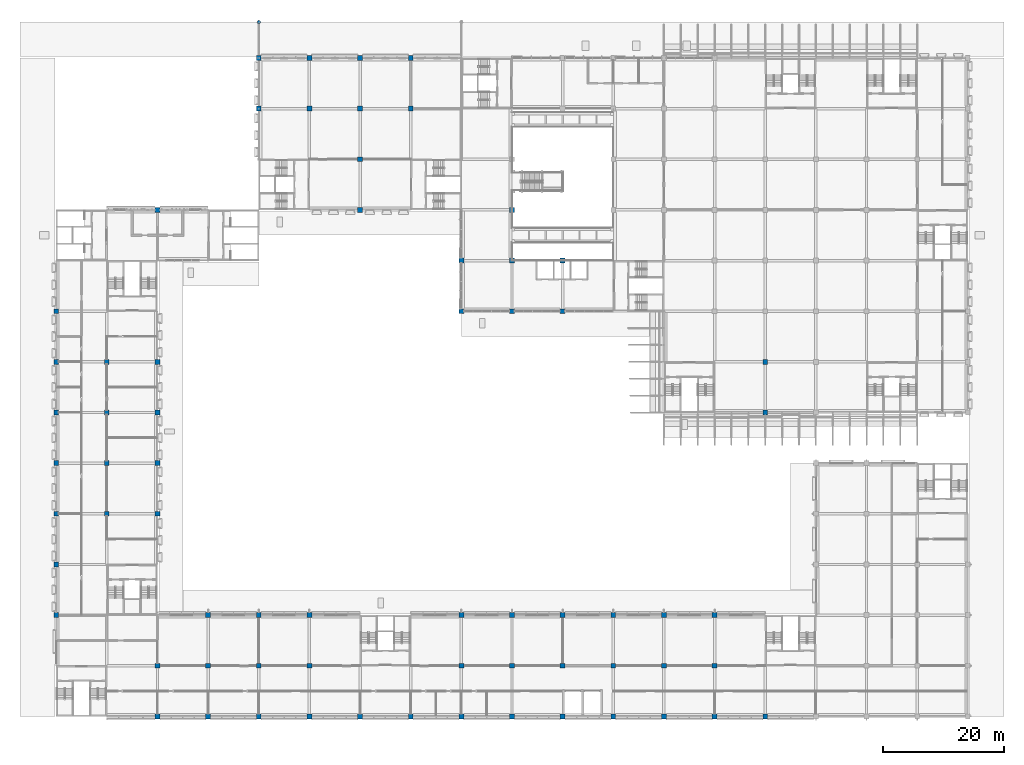
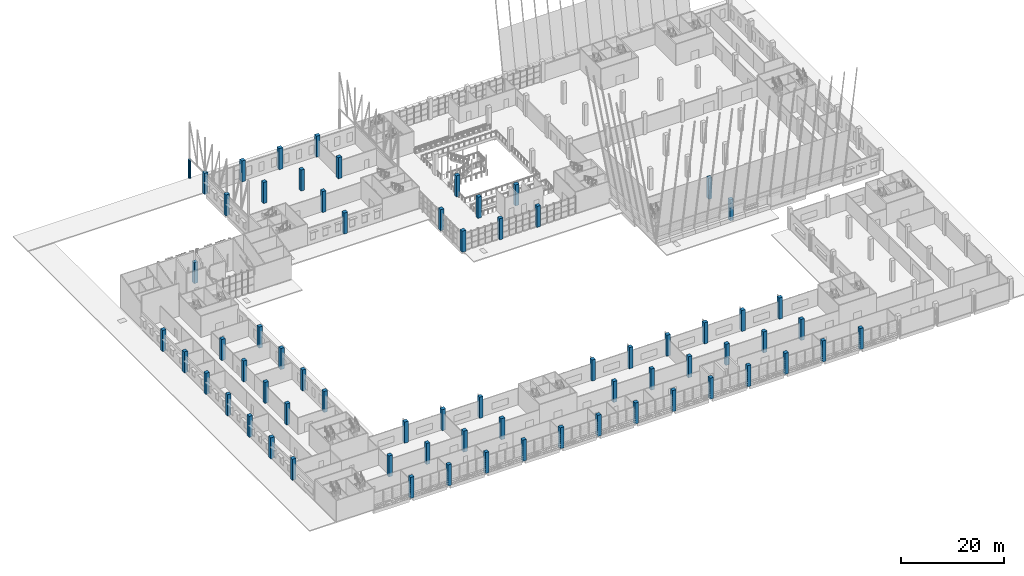
# One storey, part 1 of 101: 68 columns.
"""IFC4 building model written with IfcOpenShell, lengths in metres."""

from ifc_helpers import new_model, si_unit, direction, frame, origin, origin_2d, place, context, subcontext, project, spatial, rectangle, circle, extrude, material, material_profile, profile_set, type_object, element, save


model = new_model("IFC4")

# Units and contexts
model_context = context("Model", 3, precision=1e-05, world=origin(), true_north=direction((0.0, 1.0)))
body_context = subcontext(model_context, "Body", "Model", "MODEL_VIEW")
ifc_project = project(units=[si_unit("LENGTHUNIT", "METRE"), si_unit("AREAUNIT", "SQUARE_METRE"), si_unit("VOLUMEUNIT", "CUBIC_METRE"), si_unit("PLANEANGLEUNIT", "RADIAN"), si_unit("MASSUNIT", "GRAM", prefix="KILO")], contexts=[model_context])

# Site, building, storey
site_placement = place(None, origin())
site = spatial("IfcSite", under=ifc_project, at=site_placement, CompositionType="ELEMENT")
building_placement = place(site_placement, origin())
building = spatial("IfcBuilding", under=site, at=building_placement, Name="Almond Square Museum", CompositionType="ELEMENT")
storey_placement = place(building_placement, frame((0.0, 0.0, 5.5)))
storey = spatial("IfcBuildingStorey", under=building, at=storey_placement, Name="L01", CompositionType="ELEMENT", Elevation=5.5)

# Columns
ifc_material_1 = material(Name="Concrete C40/50", Category="concrete")
ifc_material_profile_1 = material_profile(ifc_material_1, rectangle(XDim=0.800048828125, YDim=0.800048828125, at=origin_2d()))
ifc_profile_set_1 = profile_set([ifc_material_profile_1], Name="Concrete C40/50")
column_type_1 = type_object("IfcColumnType", Name="RC column 800 x 800 C40/50", PredefinedType="COLUMN", material=ifc_profile_set_1)
for number, where, z_axis, x_axis, name in (
    (1, (6.0, 16.800048828125, 0.0), (0.0, 0.0, 1.0), (1.0, 0.0, 0.0), "Column 2-C L01"),
    (2, (6.0, 25.199951171875, 0.0), (0.0, 0.0, 1.0), (1.0, 0.0, 0.0), "Column 2-D L01"),
    (3, (6.0, 33.60009765625, 0.0), (0.0, 0.0, 1.0), (1.0, 0.0, 0.0), "Column 2-E L01"),
    (4, (6.0, 42.0, 0.0), (0.0, 0.0, 1.0), (1.0, 0.0, 0.0), "Column 2-F L01"),
    (5, (6.0, 50.39990234375, 0.0), (0.0, 0.0, 1.0), (1.0, 0.0, 0.0), "Column 2-G L01"),
    (6, (6.0, 58.800048828125, 0.0), (0.0, 0.0, 1.0), (1.0, 0.0, 0.0), "Column 2-H L01"),
    (7, (6.0, 67.199951171875, 0.0), (0.0, 0.0, 1.0), (1.0, 0.0, 0.0), "Column 2-I L01"),
    (8, (14.39990234375, 33.60009765625, 0.0), (0.0, 0.0, 1.0), (1.0, 0.0, 0.0), "Column 3-E L01"),
    (9, (14.39990234375, 42.0, 0.0), (0.0, 0.0, 1.0), (1.0, 0.0, 0.0), "Column 3-F L01"),
    (10, (14.39990234375, 50.39990234375, 0.0), (0.0, 0.0, 1.0), (1.0, 0.0, 0.0), "Column 3-G L01"),
    (11, (14.39990234375, 58.800048828125, 0.0), (0.0, 0.0, 1.0), (1.0, 0.0, 0.0), "Column 3-H L01"),
    (12, (22.800048828125, 0.0, 0.0), (0.0, 0.0, 1.0), (1.0, 0.0, 0.0), "Column 4-A L01"),
    (13, (22.800048828125, 8.39990234375, 0.0), (0.0, 0.0, 1.0), (1.0, 0.0, 0.0), "Column 4-B L01"),
    (14, (22.800048828125, 33.60009765625, 0.0), (0.0, 0.0, 1.0), (1.0, 0.0, 0.0), "Column 4-E L01"),
    (15, (22.800048828125, 42.0, 0.0), (0.0, 0.0, 1.0), (1.0, 0.0, 0.0), "Column 4-F L01"),
    (16, (22.800048828125, 50.39990234375, 0.0), (0.0, 0.0, 1.0), (1.0, 0.0, 0.0), "Column 4-G L01"),
    (17, (22.800048828125, 58.800048828125, 0.0), (0.0, 0.0, 1.0), (1.0, 0.0, 0.0), "Column 4-H L01"),
    (18, (22.800048828125, 84.0, 0.0), (0.0, 0.0, 1.0), (1.0, 0.0, 0.0), "Column 4-K L01"),
    (19, (31.199951171875, 0.0, 0.0), (0.0, 0.0, 1.0), (1.0, 0.0, 0.0), "Column 5-A L01"),
    (20, (31.199951171875, 8.39990234375, 0.0), (0.0, 0.0, 1.0), (1.0, 0.0, 0.0), "Column 5-B L01"),
    (21, (31.199951171875, 16.800048828125, 0.0), (0.0, 0.0, 1.0), (1.0, 0.0, 0.0), "Column 5-C L01"),
    (22, (39.60009765625, 0.0, 0.0), (0.0, 0.0, 1.0), (1.0, 0.0, 0.0), "Column 6-A L01"),
    (23, (39.60009765625, 8.39990234375, 0.0), (0.0, 0.0, 1.0), (1.0, 0.0, 0.0), "Column 6-B L01"),
    (24, (39.60009765625, 16.800048828125, 0.0), (0.0, 0.0, 1.0), (1.0, 0.0, 0.0), "Column 6-C L01"),
    (25, (39.60009765625, 100.800048828125, 0.0), (0.0, 0.0, 1.0), (1.0, 0.0, 0.0), "Column 6-M L01"),
    (26, (39.60009765625, 109.199951171875, 0.0), (0.0, 0.0, 1.0), (1.0, 0.0, 0.0), "Column 6-N L01"),
    (27, (48.0, 0.0, 0.0), (0.0, 0.0, 1.0), (1.0, 0.0, 0.0), "Column 7-A L01"),
    (28, (48.0, 8.39990234375, 0.0), (0.0, 0.0, 1.0), (1.0, 0.0, 0.0), "Column 7-B L01"),
    (29, (48.0, 16.800048828125, 0.0), (0.0, 0.0, 1.0), (1.0, 0.0, 0.0), "Column 7-C L01"),
    (30, (48.0, 100.800048828125, 0.0), (0.0, 0.0, 1.0), (1.0, 0.0, 0.0), "Column 7-M L01"),
    (31, (48.0, 109.199951171875, 0.0), (0.0, 0.0, 1.0), (1.0, 0.0, 0.0), "Column 7-N L01"),
    (32, (56.39990234375, 0.0, 0.0), (0.0, 0.0, 1.0), (1.0, 0.0, 0.0), "Column 8-A L01"),
    (33, (56.39990234375, 84.0, 0.0), (0.0, 0.0, 1.0), (1.0, 0.0, 0.0), "Column 8-K L01"),
    (34, (56.39990234375, 92.39990234375, 0.0), (0.0, 0.0, 1.0), (1.0, 0.0, 0.0), "Column 8-L L01"),
    (35, (56.39990234375, 100.800048828125, 0.0), (0.0, 0.0, 1.0), (1.0, 0.0, 0.0), "Column 8-M L01"),
    (36, (56.39990234375, 109.199951171875, 0.0), (0.0, 0.0, 1.0), (1.0, 0.0, 0.0), "Column 8-N L01"),
    (37, (64.800048828125, 0.0, 0.0), (0.0, 0.0, 1.0), (1.0, 0.0, 0.0), "Column 9-A L01"),
    (38, (64.800048828125, 100.800048828125, 0.0), (0.0, 0.0, 1.0), (1.0, 0.0, 0.0), "Column 9-M L01"),
    (39, (64.800048828125, 109.199951171875, 0.0), (0.0, 0.0, 1.0), (1.0, 0.0, 0.0), "Column 9-N L01"),
    (40, (73.199951171875, 0.0, 0.0), (0.0, 0.0, 1.0), (1.0, 0.0, 0.0), "Column 10-A L01"),
    (41, (73.199951171875, 8.39990234375, 0.0), (0.0, 0.0, 1.0), (1.0, 0.0, 0.0), "Column 10-B L01"),
    (42, (73.199951171875, 16.800048828125, 0.0), (0.0, 0.0, 1.0), (1.0, 0.0, 0.0), "Column 10-C L01"),
    (43, (73.199951171875, 67.199951171875, 0.0), (0.0, 0.0, 1.0), (1.0, 0.0, 0.0), "Column 10-I L01"),
    (44, (73.199951171875, 75.60009765625, 0.0), (0.0, 0.0, 1.0), (1.0, 0.0, 0.0), "Column 10-J L01"),
    (45, (81.60009765625, 0.0, 0.0), (0.0, 0.0, 1.0), (1.0, 0.0, 0.0), "Column 11-A L01"),
    (46, (81.60009765625, 8.39990234375, 0.0), (0.0, 0.0, 1.0), (1.0, 0.0, 0.0), "Column 11-B L01"),
    (47, (81.60009765625, 16.800048828125, 0.0), (0.0, 0.0, 1.0), (1.0, 0.0, 0.0), "Column 11-C L01"),
    (48, (81.60009765625, 67.199951171875, 0.0), (0.0, 0.0, 1.0), (1.0, 0.0, 0.0), "Column 11-I L01"),
    (49, (81.60009765625, 75.60009765625, 0.0), (0.0, 0.0, 1.0), (1.0, 0.0, 0.0), "Column 11-J L01"),
    (50, (81.60009765625, 84.0, 0.0), (0.0, 0.0, 1.0), (1.0, 0.0, 0.0), "Column 11-K L01"),
    (51, (90.0, 0.0, 0.0), (0.0, 0.0, 1.0), (1.0, 0.0, 0.0), "Column 12-A L01"),
    (52, (90.0, 8.39990234375, 0.0), (0.0, 0.0, 1.0), (1.0, 0.0, 0.0), "Column 12-B L01"),
    (53, (90.0, 16.800048828125, 0.0), (0.0, 0.0, 1.0), (1.0, 0.0, 0.0), "Column 12-C L01"),
    (54, (90.0, 67.199951171875, 0.0), (0.0, 0.0, 1.0), (1.0, 0.0, 0.0), "Column 12-I L01"),
    (55, (90.0, 75.60009765625, 0.0), (0.0, 0.0, 1.0), (1.0, 0.0, 0.0), "Column 12-J L01"),
    (56, (98.39990234375, 0.0, 0.0), (0.0, 0.0, 1.0), (1.0, 0.0, 0.0), "Column 13-A L01"),
    (57, (98.39990234375, 8.39990234375, 0.0), (0.0, 0.0, 1.0), (1.0, 0.0, 0.0), "Column 13-B L01"),
    (58, (98.39990234375, 16.800048828125, 0.0), (0.0, 0.0, 1.0), (1.0, 0.0, 0.0), "Column 13-C L01"),
    (59, (106.800048828125, 0.0, 0.0), (0.0, 0.0, 1.0), (1.0, 0.0, 0.0), "Column 14-A L01"),
    (60, (106.800048828125, 8.39990234375, 0.0), (0.0, 0.0, 1.0), (1.0, 0.0, 0.0), "Column 14-B L01"),
    (61, (106.800048828125, 16.800048828125, 0.0), (0.0, 0.0, 1.0), (1.0, 0.0, 0.0), "Column 14-C L01"),
    (62, (115.199951171875, 0.0, 0.0), (0.0, 0.0, 1.0), (1.0, 0.0, 0.0), "Column 15-A L01"),
    (63, (115.199951171875, 8.39990234375, 0.0), (0.0, 0.0, 1.0), (1.0, 0.0, 0.0), "Column 15-B L01"),
    (64, (115.199951171875, 16.800048828125, 0.0), (0.0, 0.0, 1.0), (1.0, 0.0, 0.0), "Column 15-C L01"),
    (65, (123.60009765625, 0.0, 0.0), (0.0, 0.0, 1.0), (1.0, 0.0, 0.0), "Column 16-A L01"),
    (66, (123.60009765625, 50.39990234375, 0.0), (0.0, 0.0, 1.0), (1.0, 0.0, 0.0), "Column 16-G L01"),
    (67, (123.60009765625, 58.800048828125, 0.0), (0.0, 0.0, 1.0), (1.0, 0.0, 0.0), "Column 16-H L01"),
):
    element("IfcColumn", number, at=place(storey_placement, frame(where, z_axis=z_axis, x_axis=x_axis)), inside=storey, type_object=column_type_1, Name=name, PredefinedType="COLUMN", context=body_context, shape_type="SweptSolid", body=[
        extrude(rectangle(XDim=0.800048828125, YDim=0.800048828125, at=origin_2d()), origin(), (0.0, 0.0, 1.0), 5.0),
    ])
ifc_material_2 = material(Name="Concrete C40/50", Category="concrete")
ifc_material_profile_2 = material_profile(ifc_material_2, circle(Radius=0.300048828125, at=origin_2d()))
ifc_profile_set_2 = profile_set([ifc_material_profile_2], Name="Concrete C40/50")
column_type_2 = type_object("IfcColumnType", Name="RC round column D600 C40/50", PredefinedType="COLUMN", material=ifc_profile_set_2)
column_placement = place(storey_placement, frame((39.60009765625, 115.199951171875, 0.0), z_axis=(0.0, 0.0, 1.0), x_axis=(1.0, 0.0, 0.0)))
element("IfcColumn", 68, at=column_placement, inside=storey, type_object=column_type_2, Name="Arcade column 6-O L01", PredefinedType="COLUMN", context=body_context, shape_type="SweptSolid", body=[
    extrude(circle(Radius=0.300048828125, at=origin_2d()), origin(), (0.0, 0.0, 1.0), 4.35009765625),
])

save(model, "model.ifc")
